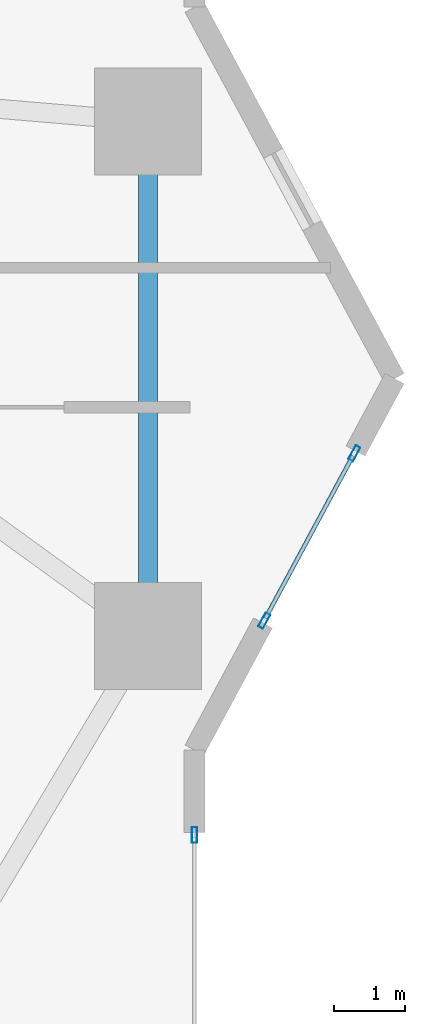
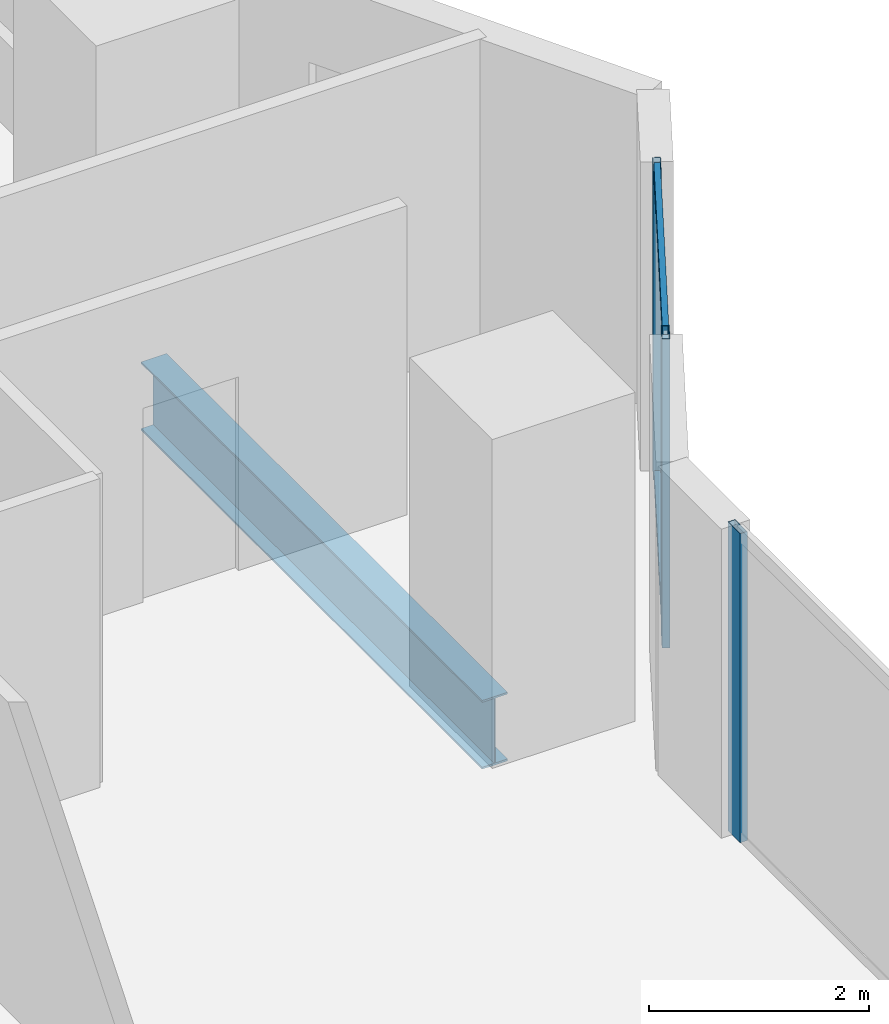
# One storey, part 12 of 28: 5 members, 1 beam, 2 elements without a shape of their own.
"""IFC4 building model written with IfcOpenShell, lengths in metres."""

from ifc_helpers import new_model, si_unit, direction, frame, origin, origin_2d, place, context, subcontext, project, spatial, hollow_rectangle, i_section, extrude, material, layer, layer_set, material_profile, profile_set, type_object, element, aggregate, save


model = new_model("IFC4")

# Units and contexts
model_context = context("Model", 3, precision=1e-05, world=origin(), true_north=direction((0.0, 1.0)))
body_context = subcontext(model_context, "Body", "Model", "MODEL_VIEW")
ifc_project = project(units=[si_unit("LENGTHUNIT", "METRE"), si_unit("AREAUNIT", "SQUARE_METRE"), si_unit("VOLUMEUNIT", "CUBIC_METRE"), si_unit("PLANEANGLEUNIT", "RADIAN"), si_unit("MASSUNIT", "GRAM", prefix="KILO")], contexts=[model_context])

# Site, building, storey
site_placement = place(None, origin())
site = spatial("IfcSite", under=ifc_project, at=site_placement, CompositionType="ELEMENT")
building_placement = place(site_placement, origin())
building = spatial("IfcBuilding", under=site, at=building_placement, Name="Zuhayl Quay Hotel", CompositionType="ELEMENT")
storey_placement = place(building_placement, frame((0.0, 0.0, 49.5)))
storey = spatial("IfcBuildingStorey", under=building, at=storey_placement, Name="L11", CompositionType="ELEMENT", Elevation=49.5)

# Beam
ifc_material_1 = material(Name="Steel ASTM A992 Grade 50", Category="steel")
ifc_material_profile_1 = material_profile(ifc_material_1, i_section(OverallWidth=0.26708984375, OverallDepth=0.761962890625, WebThickness=0.014404296875, FlangeThickness=0.021484375, at=origin_2d()), Name="W30X116")
ifc_profile_set_1 = profile_set([ifc_material_profile_1], Name="Steel ASTM A992 Grade 50")
beam_type = type_object("IfcBeamType", Name="BM_B1_W30X116", PredefinedType="BEAM", material=ifc_profile_set_1)
beam_placement = place(storey_placement, frame((25.050048828125, -3.10009765625, -0.60107421875), z_axis=(0.0, 1.0, 0.0), x_axis=(-1.0, 0.0, 0.0)))
element("IfcBeam", 1, at=beam_placement, inside=storey, type_object=beam_type, Name="L11 Floor Beam RG_L11_05", PredefinedType="BEAM", context=body_context, shape_type="SweptSolid", body=[
    extrude(i_section(OverallWidth=0.26708984375, OverallDepth=0.761962890625, WebThickness=0.014404296875, FlangeThickness=0.021484375, at=origin_2d()), origin(), (0.0, 0.0, 1.0), 6.2001953125),
])

# Curtain wall, members
ifc_material_2 = material(Name="Anodised Aluminium 6063-T6", Category="aluminium")
ifc_layer = layer(ifc_material_2, 0.18994140625, Name="Anodised Aluminium 6063-T6", Category="aluminium")
ifc_layer_set = layer_set([ifc_layer], Name="Anodised Aluminium 6063-T6")
curtain_wall_type = type_object("IfcCurtainWallType", Name="CW_SYS_Z1", PredefinedType="USERDEFINED", material=ifc_layer_set)
curtain_wall_1_placement = place(storey_placement, origin())
curtain_wall_1 = element("IfcCurtainWall", 2, at=curtain_wall_1_placement, inside=storey, type_object=curtain_wall_type, Name="L11 Curtain Wall ENV_L11_E13_CW1", ObjectType="UNITISED CURTAIN WALL", PredefinedType="USERDEFINED")
ifc_material_3 = material(Name="Black-anodised aluminium 6063-T6", Category="aluminium")
ifc_material_profile_2 = material_profile(ifc_material_3, hollow_rectangle(XDim=0.074951171875, YDim=0.219970703125, WallThickness=0.00390625, at=origin_2d()), Name="ALU220X75")
ifc_profile_set_2 = profile_set([ifc_material_profile_2], Name="Black-anodised aluminium 6063-T6")
member_type_1 = type_object("IfcMemberType", Name="MB_CW_MUL_220", PredefinedType="MULLION", material=ifc_profile_set_2)
member_1_placement = place(storey_placement, frame((27.93701171875, -1.04541015625, 0.0), z_axis=(0.0, 0.0, 1.0), x_axis=(0.880475795468, -0.474091102632, 0.0)))
member_1 = element("IfcMember", 3, at=member_1_placement, type_object=member_type_1, Name="CW-Z1 mullion 1", PredefinedType="MULLION", context=body_context, shape_type="SweptSolid", body=[
    extrude(hollow_rectangle(XDim=0.074951171875, YDim=0.219970703125, WallThickness=0.00390625, at=origin_2d()), origin(), (0.0, 0.0, 1.0), 3.429931640625),
])
member_2_placement = place(storey_placement, frame((26.67578125, -3.387939453125, 0.0), z_axis=(0.0, 0.0, 1.0), x_axis=(0.880475795468, -0.474091102632, 0.0)))
member_2 = element("IfcMember", 4, at=member_2_placement, type_object=member_type_1, Name="CW-Z1 mullion 2", PredefinedType="MULLION", context=body_context, shape_type="SweptSolid", body=[
    extrude(hollow_rectangle(XDim=0.074951171875, YDim=0.219970703125, WallThickness=0.00390625, at=origin_2d()), origin(), (0.0, 0.0, 1.0), 3.429931640625),
])

# Curtain wall, member
curtain_wall_2_placement = place(storey_placement, origin())
curtain_wall_2 = element("IfcCurtainWall", 5, at=curtain_wall_2_placement, inside=storey, type_object=curtain_wall_type, Name="L11 Curtain Wall ENV_L11_E14_CW1", ObjectType="UNITISED CURTAIN WALL", PredefinedType="USERDEFINED")
member_3_placement = place(storey_placement, frame((25.699951171875, -6.387451171875, 0.0), z_axis=(0.0, 0.0, 1.0), x_axis=(1.0, 0.0, 0.0)))
member_3 = element("IfcMember", 6, at=member_3_placement, type_object=member_type_1, Name="CW-Z1 mullion 1", PredefinedType="MULLION", context=body_context, shape_type="SweptSolid", body=[
    extrude(hollow_rectangle(XDim=0.074951171875, YDim=0.219970703125, WallThickness=0.00390625, at=origin_2d()), origin(), (0.0, 0.0, 1.0), 3.429931640625),
])
aggregate(curtain_wall_2, [member_3])

# Member
ifc_material_profile_3 = material_profile(ifc_material_3, hollow_rectangle(XDim=0.06005859375, YDim=0.14990234375, WallThickness=0.00341796875, at=origin_2d()), Name="ALU150X60")
ifc_profile_set_3 = profile_set([ifc_material_profile_3], Name="Black-anodised aluminium 6063-T6")
member_type_2 = type_object("IfcMemberType", Name="MB_CW_TRN_150", PredefinedType="USERDEFINED", material=ifc_profile_set_3)
member_4_placement = place(storey_placement, frame((27.919189453125, -1.07861328125, 0.030029296875), z_axis=(-0.474054771703, -0.880495356845, 0.0), x_axis=(0.880495356845, -0.474054771703, 0.0)))
member_4 = element("IfcMember", 7, at=member_4_placement, type_object=member_type_2, Name="CW-Z1 transom 1.1", ObjectType="TRANSOM", PredefinedType="USERDEFINED", context=body_context, shape_type="SweptSolid", body=[
    extrude(hollow_rectangle(XDim=0.06005859375, YDim=0.14990234375, WallThickness=0.00341796875, at=origin_2d()), origin(), (0.0, 0.0, 1.0), 2.585205078125),
])

member_5_placement = place(storey_placement, frame((27.919189453125, -1.07861328125, 3.39990234375), z_axis=(-0.474054771703, -0.880495356845, 0.0), x_axis=(0.880495356845, -0.474054771703, 0.0)))
member_5 = element("IfcMember", 8, at=member_5_placement, type_object=member_type_2, Name="CW-Z1 transom 1.2", ObjectType="TRANSOM", PredefinedType="USERDEFINED", context=body_context, shape_type="SweptSolid", body=[
    extrude(hollow_rectangle(XDim=0.06005859375, YDim=0.14990234375, WallThickness=0.00341796875, at=origin_2d()), origin(), (0.0, 0.0, 1.0), 2.585205078125),
])

aggregate(curtain_wall_1, [member_1, member_2, member_4, member_5])

save(model, "model.ifc")
